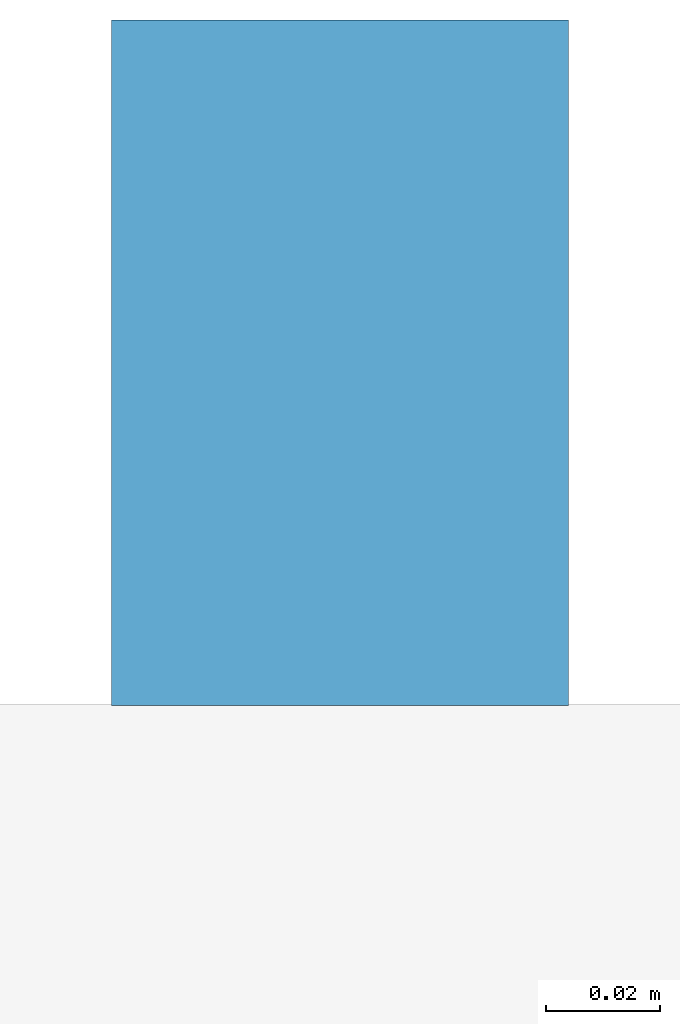
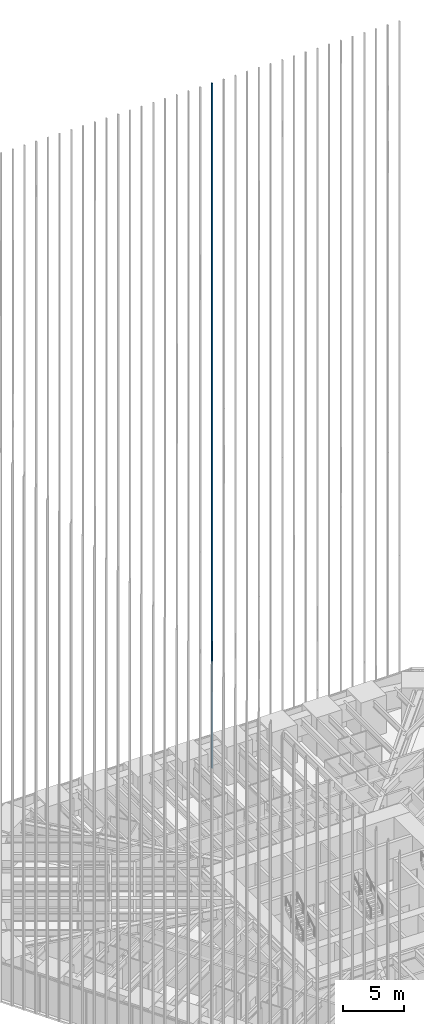
# One storey, part 191 of 256: 1 member, 1 element without a shape of its own.
"""IFC4 building model written with IfcOpenShell, lengths in metres."""

from ifc_helpers import new_model, si_unit, direction, frame, origin, origin_2d, place, context, subcontext, project, spatial, rectangle, extrude, material, material_profile, profile_set, type_object, element, aggregate, save


model = new_model("IFC4")

# Units and contexts
model_context = context("Model", 3, precision=1e-05, world=origin(), true_north=direction((0.0, 1.0)))
body_context = subcontext(model_context, "Body", "Model", "MODEL_VIEW")
ifc_project = project(units=[si_unit("LENGTHUNIT", "METRE"), si_unit("AREAUNIT", "SQUARE_METRE"), si_unit("VOLUMEUNIT", "CUBIC_METRE"), si_unit("PLANEANGLEUNIT", "RADIAN"), si_unit("MASSUNIT", "GRAM", prefix="KILO")], contexts=[model_context])

# Site, building, storey
site_placement = place(None, origin())
site = spatial("IfcSite", under=ifc_project, at=site_placement, CompositionType="ELEMENT")
building_placement = place(site_placement, origin())
building = spatial("IfcBuilding", under=site, at=building_placement, Name="Sandreach Pilgrim Tower", CompositionType="ELEMENT")
storey_placement = place(building_placement, frame((0.0, 0.0, 23.0)))
storey = spatial("IfcBuildingStorey", under=building, at=storey_placement, Name="L04", CompositionType="ELEMENT", Elevation=23.0)

# Curtain wall, member
ifc_material_1 = material(Name="Aluminium framed curtain wall", Category="aluminium")
curtain_wall_type = type_object("IfcCurtainWallType", Name="Hostel tower curtain wall", PredefinedType="NOTDEFINED", material=ifc_material_1)
curtain_wall_placement = place(storey_placement, origin())
curtain_wall = element("IfcCurtainWall", 1, at=curtain_wall_placement, inside=storey, type_object=curtain_wall_type, Name="CW-1 L04 N", PredefinedType="NOTDEFINED")
ifc_material_2 = material(Name="Extruded terracotta on aluminium core", Category="masonry")
ifc_material_profile = material_profile(ifc_material_2, rectangle(XDim=0.080078125, YDim=0.1201171875, at=origin_2d()), Name="TBN 80X120")
ifc_profile_set = profile_set([ifc_material_profile], Name="Extruded terracotta on aluminium core")
member_type = type_object("IfcMemberType", Name="Terracotta baguette north", PredefinedType="USERDEFINED", material=ifc_profile_set)
member_placement = place(storey_placement, frame((1.1044921875, 24.30859375, 0.0), z_axis=(0.0, 0.0, 1.0), x_axis=(1.0, 0.0, 0.0)))
member = element("IfcMember", 2, at=member_placement, type_object=member_type, Name="Baguette Z1 N19", ObjectType="BAGUETTE", PredefinedType="USERDEFINED", context=body_context, shape_type="SweptSolid", body=[
    extrude(rectangle(XDim=0.080078125, YDim=0.1201171875, at=origin_2d()), origin(), (0.0, 0.0, 1.0), 68.239990234375),
])
aggregate(curtain_wall, [member])

save(model, "model.ifc")
